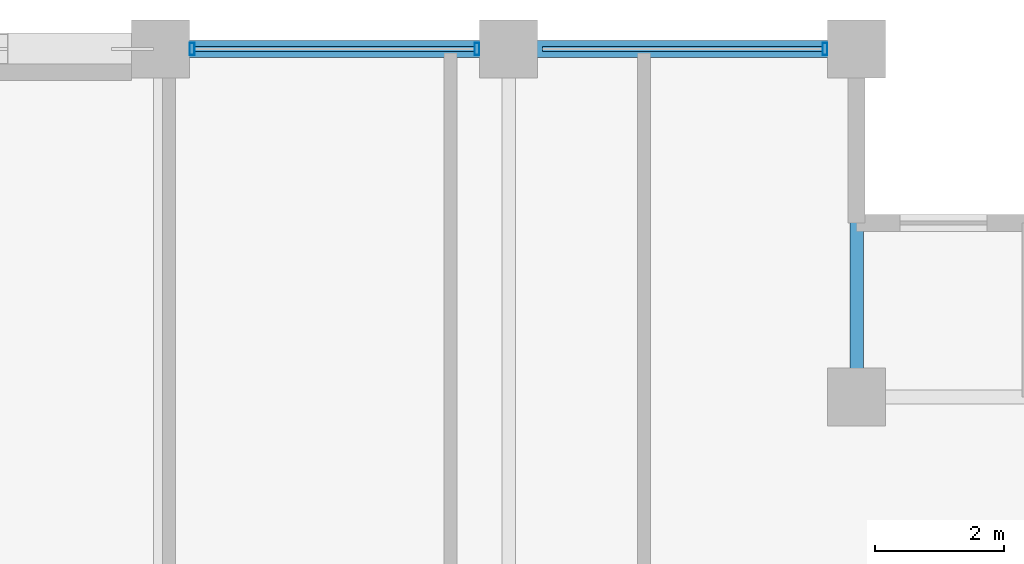
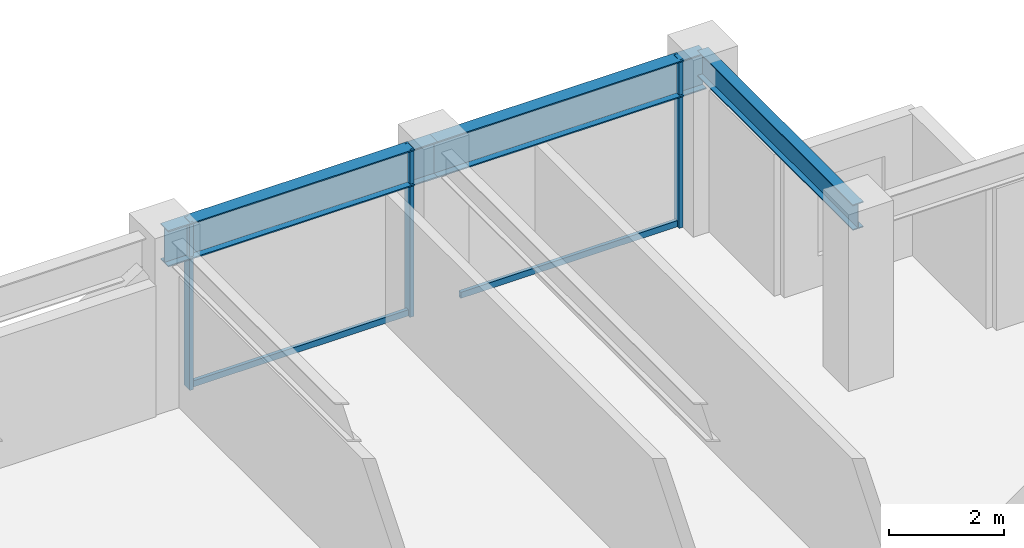
# One storey, part 19 of 28: 5 members, 3 beams, 1 element without a shape of its own.
"""IFC4 building model written with IfcOpenShell, lengths in metres."""

from ifc_helpers import new_model, si_unit, direction, frame, origin, origin_2d, place, context, subcontext, project, spatial, hollow_rectangle, i_section, extrude, material, layer, layer_set, material_profile, profile_set, type_object, element, aggregate, save


model = new_model("IFC4")

# Units and contexts
model_context = context("Model", 3, precision=1e-05, world=origin(), true_north=direction((0.0, 1.0)))
body_context = subcontext(model_context, "Body", "Model", "MODEL_VIEW")
ifc_project = project(units=[si_unit("LENGTHUNIT", "METRE"), si_unit("AREAUNIT", "SQUARE_METRE"), si_unit("VOLUMEUNIT", "CUBIC_METRE"), si_unit("PLANEANGLEUNIT", "RADIAN"), si_unit("MASSUNIT", "GRAM", prefix="KILO")], contexts=[model_context])

# Site, building, storey
site_placement = place(None, origin())
site = spatial("IfcSite", under=ifc_project, at=site_placement, CompositionType="ELEMENT")
building_placement = place(site_placement, origin())
building = spatial("IfcBuilding", under=site, at=building_placement, Name="Surkhivell Harbour Commons", CompositionType="ELEMENT")
storey_placement = place(building_placement, frame((0.0, 0.0, 178.5)))
storey = spatial("IfcBuildingStorey", under=building, at=storey_placement, Name="L46", CompositionType="ELEMENT", Elevation=178.5)

# Beams
ifc_material_1 = material(Name="Steel S355", Category="steel")
ifc_material_profile_1 = material_profile(ifc_material_1, i_section(OverallWidth=0.2119140625, OverallDepth=0.5439453125, WebThickness=0.0126953125, FlangeThickness=0.021240234375, at=origin_2d()), Name="UB533x210x122")
ifc_profile_set_1 = profile_set([ifc_material_profile_1], Name="Steel S355")
beam_type_1 = type_object("IfcBeamType", Name="BM-GRD-533A", PredefinedType="BEAM", material=ifc_profile_set_1)
beam_1_placement = place(storey_placement, frame((16.199951171875, 20.5, 3.298095703125), z_axis=(0.0, 1.0, 0.0), x_axis=(-1.0, 0.0, 0.0)))
element("IfcBeam", 1, at=beam_1_placement, inside=storey, type_object=beam_type_1, Name="L46 Floor Girder (16.2,20.5)", PredefinedType="BEAM", context=body_context, shape_type="SweptSolid", body=[
    extrude(i_section(OverallWidth=0.2119140625, OverallDepth=0.5439453125, WebThickness=0.0126953125, FlangeThickness=0.021240234375, at=origin_2d()), origin(), (0.0, 0.0, 1.0), 5.39990234375),
])
ifc_material_profile_2 = material_profile(ifc_material_1, i_section(OverallWidth=0.26806640625, OverallDepth=0.77001953125, WebThickness=0.015625, FlangeThickness=0.025390625, at=origin_2d()), Name="UB762x267x197")
ifc_profile_set_2 = profile_set([ifc_material_profile_2], Name="Steel S355")
beam_type_2 = type_object("IfcBeamType", Name="BM-SPN-762", PredefinedType="SPANDREL", material=ifc_profile_set_2)
beam_2_placement = place(storey_placement, frame((5.39990234375, 25.89990234375, 3.18505859375), z_axis=(1.0, 0.0, 0.0), x_axis=(0.0, 1.0, 0.0)))
element("IfcBeam", 2, at=beam_2_placement, inside=storey, type_object=beam_type_2, Name="L46 Tube Spandrel (5.4,25.9)", PredefinedType="SPANDREL", context=body_context, shape_type="SweptSolid", body=[
    extrude(i_section(OverallWidth=0.26806640625, OverallDepth=0.77001953125, WebThickness=0.015625, FlangeThickness=0.025390625, at=origin_2d()), origin(), (0.0, 0.0, 1.0), 5.400146484375),
])
beam_3_placement = place(storey_placement, frame((10.800048828125, 25.89990234375, 3.18505859375), z_axis=(1.0, 0.0, 0.0), x_axis=(0.0, 1.0, 0.0)))
element("IfcBeam", 3, at=beam_3_placement, inside=storey, type_object=beam_type_2, Name="L46 Tube Spandrel (10.8,25.9)", PredefinedType="SPANDREL", context=body_context, shape_type="SweptSolid", body=[
    extrude(i_section(OverallWidth=0.26806640625, OverallDepth=0.77001953125, WebThickness=0.015625, FlangeThickness=0.025390625, at=origin_2d()), origin(), (0.0, 0.0, 1.0), 5.39990234375),
])

# Curtain wall, members
ifc_material_2 = material(Name="Anodised pale-metal aluminium and insulated glazing", Category="aluminium")
ifc_layer = layer(ifc_material_2, 0.18994140625)
ifc_layer_set = layer_set([ifc_layer], Name="Anodised pale-metal aluminium and insulated glazing")
curtain_wall_type = type_object("IfcCurtainWallType", Name="CW-SYS-Z3", PredefinedType="NOTDEFINED", material=ifc_layer_set)
curtain_wall_placement = place(storey_placement, origin())
curtain_wall = element("IfcCurtainWall", 4, at=curtain_wall_placement, inside=storey, type_object=curtain_wall_type, Name="L46 Curtain Wall CW-L46-E07S1", PredefinedType="NOTDEFINED")
ifc_material_3 = material(Name="Anodised pale-metal aluminium alloy 6063-T6", Category="aluminium")
ifc_material_profile_3 = material_profile(ifc_material_3, hollow_rectangle(XDim=0.074951171875, YDim=0.18994140625, WallThickness=0.00390625, at=origin_2d()), Name="ALU-MULL-75x190")
ifc_profile_set_3 = profile_set([ifc_material_profile_3], Name="Anodised pale-metal aluminium alloy 6063-T6")
member_type_1 = type_object("IfcMemberType", Name="CWM-190", PredefinedType="MULLION", material=ifc_profile_set_3)
member_1_placement = place(storey_placement, frame((15.71044921875, 25.89990234375, 0.0), z_axis=(0.0, 0.0, 1.0), x_axis=(-1.0, 0.0, 0.0)))
member_1 = element("IfcMember", 5, at=member_1_placement, type_object=member_type_1, Name="CW-Z3 mullion 1", PredefinedType="MULLION", context=body_context, shape_type="SweptSolid", body=[
    extrude(hollow_rectangle(XDim=0.074951171875, YDim=0.18994140625, WallThickness=0.00390625, at=origin_2d()), origin(), (0.0, 0.0, 1.0), 3.570068359375),
])
member_2_placement = place(storey_placement, frame((10.310546875, 25.89990234375, 0.0), z_axis=(0.0, 0.0, 1.0), x_axis=(-1.0, 0.0, 0.0)))
member_2 = element("IfcMember", 6, at=member_2_placement, type_object=member_type_1, Name="CW-Z3 mullion 2", PredefinedType="MULLION", context=body_context, shape_type="SweptSolid", body=[
    extrude(hollow_rectangle(XDim=0.074951171875, YDim=0.18994140625, WallThickness=0.00390625, at=origin_2d()), origin(), (0.0, 0.0, 1.0), 3.570068359375),
])
member_3_placement = place(storey_placement, frame((5.889404296875, 25.89990234375, 0.0), z_axis=(0.0, 0.0, 1.0), x_axis=(-1.0, 0.0, 0.0)))
member_3 = element("IfcMember", 7, at=member_3_placement, type_object=member_type_1, Name="CW-Z3 mullion 3", PredefinedType="MULLION", context=body_context, shape_type="SweptSolid", body=[
    extrude(hollow_rectangle(XDim=0.074951171875, YDim=0.18994140625, WallThickness=0.00390625, at=origin_2d()), origin(), (0.0, 0.0, 1.0), 3.570068359375),
])
ifc_material_4 = material(Name="Champagne anodised aluminium alloy 6063-T6", Category="aluminium")
ifc_material_profile_4 = material_profile(ifc_material_4, hollow_rectangle(XDim=0.070068359375, YDim=0.1298828125, WallThickness=0.00341796875, at=origin_2d()), Name="ALU-TRAN-70x130")
ifc_profile_set_4 = profile_set([ifc_material_profile_4], Name="Champagne anodised aluminium alloy 6063-T6")
member_type_2 = type_object("IfcMemberType", Name="CWT-130", PredefinedType="USERDEFINED", material=ifc_profile_set_4)
member_4_placement = place(storey_placement, frame((15.673095703125, 25.89990234375, 0.06494140625), z_axis=(-1.0, 0.0, 0.0), x_axis=(0.0, -1.0, 0.0)))
member_4 = element("IfcMember", 8, at=member_4_placement, type_object=member_type_2, Name="CW-Z3 transom 1.1", ObjectType="TRANSOM", PredefinedType="USERDEFINED", context=body_context, shape_type="SweptSolid", body=[
    extrude(hollow_rectangle(XDim=0.070068359375, YDim=0.1298828125, WallThickness=0.00341796875, at=origin_2d()), origin(), (0.0, 0.0, 1.0), 4.34619140625),
])
member_5_placement = place(storey_placement, frame((10.27294921875, 25.89990234375, 0.06494140625), z_axis=(-1.0, 0.0, 0.0), x_axis=(0.0, -1.0, 0.0)))
member_5 = element("IfcMember", 9, at=member_5_placement, type_object=member_type_2, Name="CW-Z3 transom 2.1", ObjectType="TRANSOM", PredefinedType="USERDEFINED", context=body_context, shape_type="SweptSolid", body=[
    extrude(hollow_rectangle(XDim=0.070068359375, YDim=0.1298828125, WallThickness=0.00341796875, at=origin_2d()), origin(), (0.0, 0.0, 1.0), 4.345947265625),
])
aggregate(curtain_wall, [member_1, member_4, member_2, member_3, member_5])

save(model, "model.ifc")
